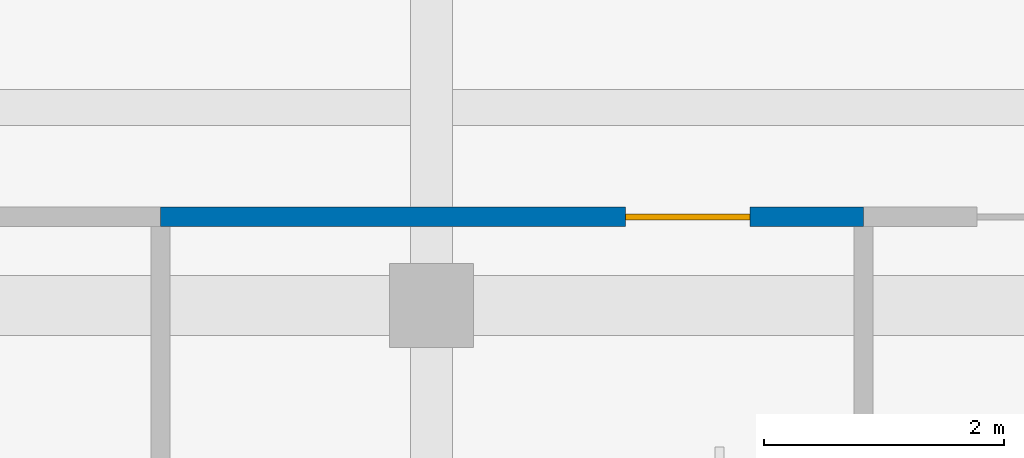
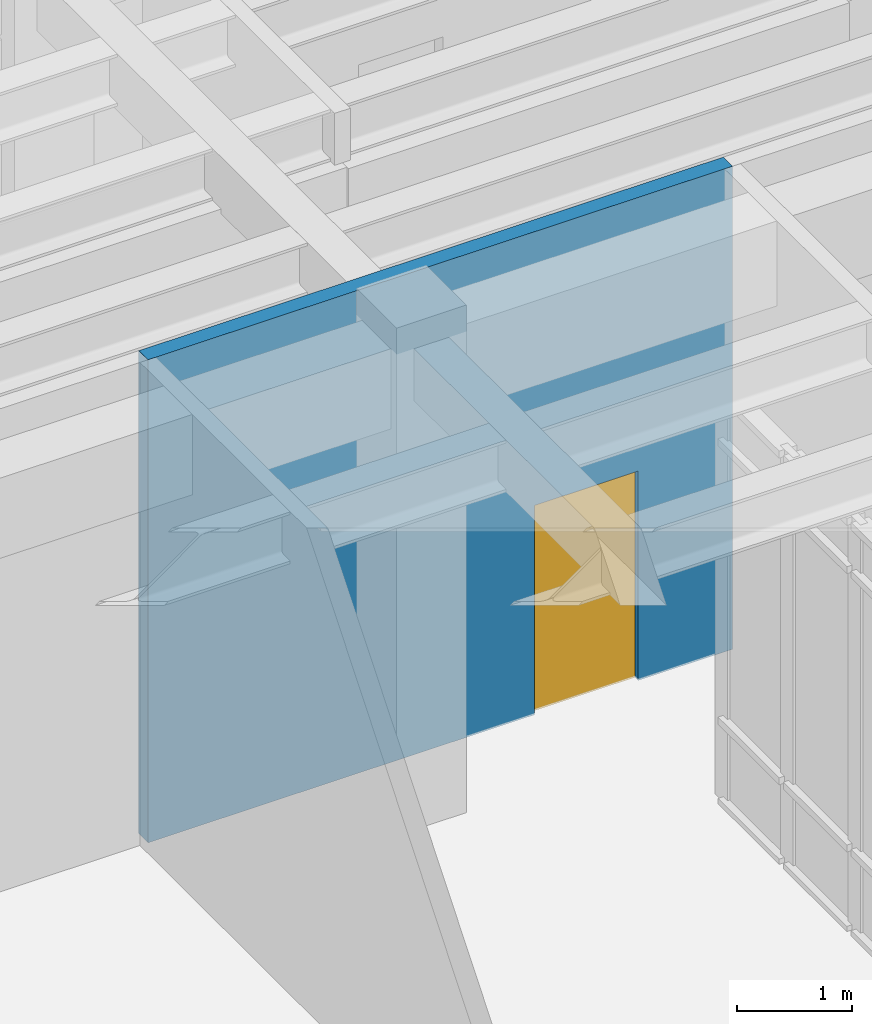
# One storey, part 80 of 100: 1 door, 1 wall, 1 opening.
"""IFC4 building model written with IfcOpenShell, lengths in metres."""

from ifc_helpers import new_model, si_unit, direction, frame, frame_2d, origin, place, context, subcontext, project, spatial, rectangle, extrude, material, layer, layer_set, type_object, element, fill, save


model = new_model("IFC4")

# Units and contexts
model_context = context("Model", 3, precision=1e-05, world=origin(), true_north=direction((0.0, 1.0)))
body_context = subcontext(model_context, "Body", "Model", "MODEL_VIEW")
ifc_project = project(units=[si_unit("LENGTHUNIT", "METRE"), si_unit("AREAUNIT", "SQUARE_METRE"), si_unit("VOLUMEUNIT", "CUBIC_METRE"), si_unit("PLANEANGLEUNIT", "RADIAN"), si_unit("MASSUNIT", "GRAM", prefix="KILO")], contexts=[model_context])

# Site, building, storey
site_placement = place(None, origin())
site = spatial("IfcSite", under=ifc_project, at=site_placement, CompositionType="ELEMENT")
building_placement = place(site_placement, origin())
building = spatial("IfcBuilding", under=site, at=building_placement, Name="Mithqara Police Headquarters", CompositionType="ELEMENT")
storey_placement = place(building_placement, origin())
storey = spatial("IfcBuildingStorey", under=building, at=storey_placement, Name="L00", CompositionType="ELEMENT", Elevation=0.0)

# Wall, opening, door
ifc_material_1 = material(Name="Gypsum acoustic stud partition", Category="gypsum")
ifc_layer = layer(ifc_material_1, 0.159912109375, Name="Gypsum acoustic stud partition")
ifc_layer_set = layer_set([ifc_layer], Name="Gypsum acoustic stud partition")
wall_type = type_object("IfcWallType", Name="PART WALL 160", PredefinedType="PARTITIONING", material=ifc_layer_set)
wall_placement = place(storey_placement, frame((120.739990234375, 108.139892578125, 0.0), z_axis=(0.0, 0.0, 1.0), x_axis=(1.0, 0.0, 0.0)))
wall = element("IfcWall", 1, at=wall_placement, inside=storey, type_object=wall_type, Name="L00 Corridor Wall Security Access Badging Office", PredefinedType="PARTITIONING", context=body_context, shape_type="SweptSolid", body=[
    extrude(rectangle(XDim=5.860107421875, YDim=0.159912109375, at=frame_2d((2.93017578125, 0.0))), origin(), (0.0, 0.0, 1.0), 5.1201171875),
])
opening_placement = place(wall_placement, frame((3.875, 0.0, 0.0)))
opening = element("IfcOpeningElement", 2, at=opening_placement, cuts=wall, Name="Opening D-08", PredefinedType="OPENING", context=body_context, shape_type="SweptSolid", body=[
    extrude(rectangle(XDim=1.0400390625, YDim=2.219970703125, at=frame_2d((0.52001953125, 1.10986328125))), frame((0.0, 0.08984375, 0.0), z_axis=(0.0, -1.0, 0.0), x_axis=(1.0, 0.0, 0.0)), (0.0, 0.0, 1.0), 0.179931640625),
])
ifc_material_2 = material(Name="Acoustic solid-core timber leaf", Category="wood")
door_type = type_object("IfcDoorType", Name="INT DOOR 1040X2220", OperationType="NOTDEFINED", PredefinedType="DOOR", material=ifc_material_2)
door_placement = place(opening_placement, frame((1.0400390625, 0.0, 0.0), z_axis=(0.0, 0.0, 1.0), x_axis=(-1.0, 0.0, 0.0)))
door = element("IfcDoor", 3, at=door_placement, inside=storey, type_object=door_type, Name="Security Access Badging Office Entry Door", OperationType="SINGLE_SWING_LEFT", OverallHeight=2.219970703125, OverallWidth=1.0400390625, PredefinedType="DOOR", context=body_context, shape_type="SweptSolid", body=[
    extrude(rectangle(XDim=1.0400390625, YDim=2.219970703125, at=frame_2d((0.52001953125, 1.10986328125))), frame((0.0, 0.02490234375, 0.0), z_axis=(0.0, -1.0, 0.0), x_axis=(1.0, 0.0, 0.0)), (0.0, 0.0, 1.0), 0.050048828125),
])
fill(opening, door)

save(model, "model.ifc")
